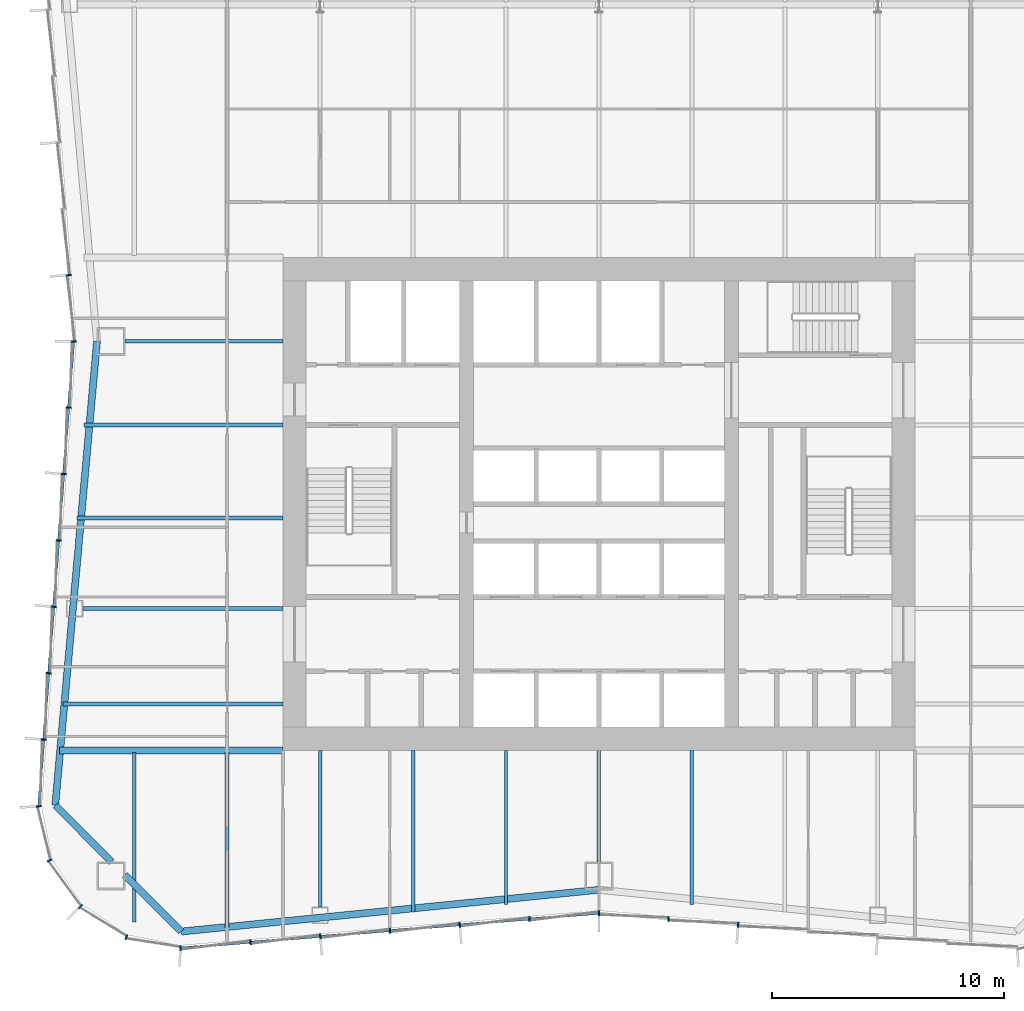
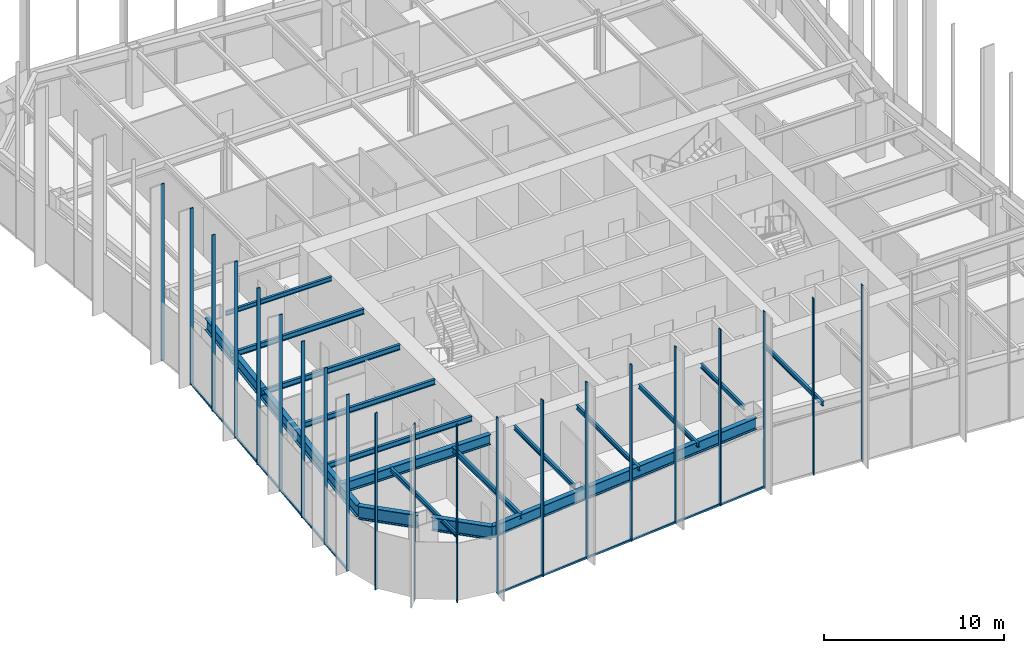
# One storey, part 2 of 13: 23 members, 17 beams, 3 elements without a shape of their own.
"""IFC4 building model written with IfcOpenShell, lengths in metres."""

from ifc_helpers import new_model, si_unit, direction, frame, origin, origin_2d, place, context, subcontext, project, spatial, rectangle, i_section, extrude, material, material_profile, profile_set, type_object, element, aggregate, save


model = new_model("IFC4")

# Units and contexts
model_context = context("Model", 3, precision=1e-05, world=origin(), true_north=direction((0.0, 1.0)))
body_context = subcontext(model_context, "Body", "Model", "MODEL_VIEW")
ifc_project = project(units=[si_unit("LENGTHUNIT", "METRE"), si_unit("AREAUNIT", "SQUARE_METRE"), si_unit("VOLUMEUNIT", "CUBIC_METRE"), si_unit("PLANEANGLEUNIT", "RADIAN"), si_unit("MASSUNIT", "GRAM", prefix="KILO")], contexts=[model_context])

# Site, building, storey
site_placement = place(None, origin())
site = spatial("IfcSite", under=ifc_project, at=site_placement, CompositionType="ELEMENT")
building_placement = place(site_placement, origin())
building = spatial("IfcBuilding", under=site, at=building_placement, Name="Verdant Reach Tower", CompositionType="ELEMENT")
storey_placement = place(building_placement, frame((0.0, 0.0, 126.0)))
storey = spatial("IfcBuildingStorey", under=building, at=storey_placement, Name="L28", CompositionType="ELEMENT", Elevation=126.0)

# Curtain wall, members
ifc_material_1 = material(Name="Anodised aluminium", Category="aluminium")
curtain_wall_type = type_object("IfcCurtainWallType", Name="EN-CW SYSTEM Z2", PredefinedType="NOTDEFINED", material=ifc_material_1)
curtain_wall_1_placement = place(storey_placement, origin())
curtain_wall_1 = element("IfcCurtainWall", 1, at=curtain_wall_1_placement, inside=storey, type_object=curtain_wall_type, Name="Curtain wall west, L28", PredefinedType="NOTDEFINED")
ifc_material_profile_1 = material_profile(ifc_material_1, rectangle(XDim=0.2119140625, YDim=0.06396484375, at=origin_2d()), Name="Mullion 64x212")
ifc_profile_set_1 = profile_set([ifc_material_profile_1], Name="Anodised aluminium")
member_type_1 = type_object("IfcMemberType", Name="EN-MULLION Z2", PredefinedType="MULLION", material=ifc_profile_set_1)
member_1_placement = place(storey_placement, frame((-22.820068359375, 37.84912109375, -0.35009765625), z_axis=(0.0, 0.0, 1.0), x_axis=(-0.997199309888, -0.074789948245, 0.0)))
member_1 = element("IfcMember", 2, at=member_1_placement, type_object=member_type_1, Name="Mullion west face part 1 7, L28", PredefinedType="MULLION", context=body_context, shape_type="SweptSolid", body=[
    extrude(rectangle(XDim=0.2119140625, YDim=0.06396484375, at=origin_2d()), origin(), (0.0, 0.0, 1.0), 12.0),
])
member_2_placement = place(storey_placement, frame((-22.60595703125, 35.0, -0.35009765625), z_axis=(0.0, 0.0, 1.0), x_axis=(-1.0, 0.0, 0.0)))
member_2 = element("IfcMember", 3, at=member_2_placement, type_object=member_type_1, Name="Mullion west face part 2 1, L28", PredefinedType="MULLION", context=body_context, shape_type="SweptSolid", body=[
    extrude(rectangle(XDim=0.2119140625, YDim=0.06396484375, at=origin_2d()), origin(), (0.0, 0.0, 1.0), 12.0),
])
member_3_placement = place(storey_placement, frame((-22.820068359375, 32.15087890625, -0.35009765625), z_axis=(0.0, 0.0, 1.0), x_axis=(-0.997199309888, 0.074789948245, 0.0)))
member_3 = element("IfcMember", 4, at=member_3_placement, type_object=member_type_1, Name="Mullion west face part 2 2, L28", PredefinedType="MULLION", context=body_context, shape_type="SweptSolid", body=[
    extrude(rectangle(XDim=0.2119140625, YDim=0.06396484375, at=origin_2d()), origin(), (0.0, 0.0, 1.0), 12.0),
])
member_4_placement = place(storey_placement, frame((-23.0341796875, 29.293701171875, -0.35009765625), z_axis=(0.0, 0.0, 1.0), x_axis=(-0.997199309888, 0.074789948245, 0.0)))
member_4 = element("IfcMember", 5, at=member_4_placement, type_object=member_type_1, Name="Mullion west face part 2 3, L28", PredefinedType="MULLION", context=body_context, shape_type="SweptSolid", body=[
    extrude(rectangle(XDim=0.2119140625, YDim=0.06396484375, at=origin_2d()), origin(), (0.0, 0.0, 1.0), 12.0),
])
member_5_placement = place(storey_placement, frame((-23.24853515625, 26.4365234375, -0.35009765625), z_axis=(0.0, 0.0, 1.0), x_axis=(-0.997199309888, 0.074789948245, 0.0)))
member_5 = element("IfcMember", 6, at=member_5_placement, type_object=member_type_1, Name="Mullion west face part 2 4, L28", PredefinedType="MULLION", context=body_context, shape_type="SweptSolid", body=[
    extrude(rectangle(XDim=0.2119140625, YDim=0.06396484375, at=origin_2d()), origin(), (0.0, 0.0, 1.0), 12.0),
])
member_6_placement = place(storey_placement, frame((-23.462890625, 23.579345703125, -0.35009765625), z_axis=(0.0, 0.0, 1.0), x_axis=(-0.997199309888, 0.074789948245, 0.0)))
member_6 = element("IfcMember", 7, at=member_6_placement, type_object=member_type_1, Name="Mullion west face part 2 5, L28", PredefinedType="MULLION", context=body_context, shape_type="SweptSolid", body=[
    extrude(rectangle(XDim=0.2119140625, YDim=0.06396484375, at=origin_2d()), origin(), (0.0, 0.0, 1.0), 12.0),
])
member_7_placement = place(storey_placement, frame((-23.67724609375, 20.72216796875, -0.35009765625), z_axis=(0.0, 0.0, 1.0), x_axis=(-0.997199309888, 0.074789948245, 0.0)))
member_7 = element("IfcMember", 8, at=member_7_placement, type_object=member_type_1, Name="Mullion west face part 2 6, L28", PredefinedType="MULLION", context=body_context, shape_type="SweptSolid", body=[
    extrude(rectangle(XDim=0.2119140625, YDim=0.06396484375, at=origin_2d()), origin(), (0.0, 0.0, 1.0), 12.0),
])
member_8_placement = place(storey_placement, frame((-23.891357421875, 17.864990234375, -0.35009765625), z_axis=(0.0, 0.0, 1.0), x_axis=(-0.997199309888, 0.074789948245, 0.0)))
member_8 = element("IfcMember", 9, at=member_8_placement, type_object=member_type_1, Name="Mullion west face part 2 7, L28", PredefinedType="MULLION", context=body_context, shape_type="SweptSolid", body=[
    extrude(rectangle(XDim=0.2119140625, YDim=0.06396484375, at=origin_2d()), origin(), (0.0, 0.0, 1.0), 12.0),
])

curtain_wall_2_placement = place(storey_placement, origin())
curtain_wall_2 = element("IfcCurtainWall", 10, at=curtain_wall_2_placement, inside=storey, type_object=curtain_wall_type, Name="Curtain wall south-west corner, L28", PredefinedType="NOTDEFINED")
member_9_placement = place(storey_placement, frame((-24.105712890625, 14.99365234375, -0.35009765625), z_axis=(0.0, 0.0, 1.0), x_axis=(-0.998155887542, -0.060702752526, 0.0)))
member_9 = element("IfcMember", 11, at=member_9_placement, type_object=member_type_1, Name="Mullion south-west corner 1, L28", PredefinedType="MULLION", context=body_context, shape_type="SweptSolid", body=[
    extrude(rectangle(XDim=0.2119140625, YDim=0.06396484375, at=origin_2d()), origin(), (0.0, 0.0, 1.0), 12.0),
])
member_10_placement = place(storey_placement, frame((-23.64111328125, 12.663330078125, -0.35009765625), z_axis=(0.0, 0.0, 1.0), x_axis=(-0.923875215753, -0.382693853776, 0.0)))
member_10 = element("IfcMember", 12, at=member_10_placement, type_object=member_type_1, Name="Mullion south-west corner 2, L28", PredefinedType="MULLION", context=body_context, shape_type="SweptSolid", body=[
    extrude(rectangle(XDim=0.2119140625, YDim=0.06396484375, at=origin_2d()), origin(), (0.0, 0.0, 1.0), 12.0),
])
member_11_placement = place(storey_placement, frame((-22.317626953125, 10.682373046875, -0.35009765625), z_axis=(0.0, 0.0, 1.0), x_axis=(-0.707106781187, -0.707106781187, 0.0)))
member_11 = element("IfcMember", 13, at=member_11_placement, type_object=member_type_1, Name="Mullion south-west corner 3, L28", PredefinedType="MULLION", context=body_context, shape_type="SweptSolid", body=[
    extrude(rectangle(XDim=0.2119140625, YDim=0.06396484375, at=origin_2d()), origin(), (0.0, 0.0, 1.0), 12.0),
])
member_12_placement = place(storey_placement, frame((-20.336669921875, 9.35888671875, -0.35009765625), z_axis=(0.0, 0.0, 1.0), x_axis=(-0.382693853776, -0.923875215753, 0.0)))
member_12 = element("IfcMember", 14, at=member_12_placement, type_object=member_type_1, Name="Mullion south-west corner 4, L28", PredefinedType="MULLION", context=body_context, shape_type="SweptSolid", body=[
    extrude(rectangle(XDim=0.2119140625, YDim=0.06396484375, at=origin_2d()), origin(), (0.0, 0.0, 1.0), 12.0),
])
aggregate(curtain_wall_2, [member_9, member_10, member_11, member_12])

curtain_wall_3_placement = place(storey_placement, origin())
curtain_wall_3 = element("IfcCurtainWall", 15, at=curtain_wall_3_placement, inside=storey, type_object=curtain_wall_type, Name="Curtain wall south, L28", PredefinedType="NOTDEFINED")
member_13_placement = place(storey_placement, frame((-18.006103515625, 8.894287109375, -0.35009765625), z_axis=(0.0, 0.0, 1.0), x_axis=(-0.056569187765, -0.998398681387, 0.0)))
member_13 = element("IfcMember", 16, at=member_13_placement, type_object=member_type_1, Name="Mullion south face part 1 1, L28", PredefinedType="MULLION", context=body_context, shape_type="SweptSolid", body=[
    extrude(rectangle(XDim=0.2119140625, YDim=0.06396484375, at=origin_2d()), origin(), (0.0, 0.0, 1.0), 12.0),
])
member_14_placement = place(storey_placement, frame((-14.9912109375, 9.144287109375, -0.35009765625), z_axis=(0.0, 0.0, 1.0), x_axis=(0.083045479859, -0.996545758244, 0.0)))
member_14 = element("IfcMember", 17, at=member_14_placement, type_object=member_type_1, Name="Mullion south face part 1 2, L28", PredefinedType="MULLION", context=body_context, shape_type="SweptSolid", body=[
    extrude(rectangle(XDim=0.2119140625, YDim=0.06396484375, at=origin_2d()), origin(), (0.0, 0.0, 1.0), 12.0),
])
member_15_placement = place(storey_placement, frame((-11.9912109375, 9.394287109375, -0.35009765625), z_axis=(0.0, 0.0, 1.0), x_axis=(0.083045479859, -0.996545758244, 0.0)))
member_15 = element("IfcMember", 18, at=member_15_placement, type_object=member_type_1, Name="Mullion south face part 1 3, L28", PredefinedType="MULLION", context=body_context, shape_type="SweptSolid", body=[
    extrude(rectangle(XDim=0.2119140625, YDim=0.06396484375, at=origin_2d()), origin(), (0.0, 0.0, 1.0), 12.0),
])
member_16_placement = place(storey_placement, frame((-8.9912109375, 9.644287109375, -0.35009765625), z_axis=(0.0, 0.0, 1.0), x_axis=(0.083045479859, -0.996545758244, 0.0)))
member_16 = element("IfcMember", 19, at=member_16_placement, type_object=member_type_1, Name="Mullion south face part 1 4, L28", PredefinedType="MULLION", context=body_context, shape_type="SweptSolid", body=[
    extrude(rectangle(XDim=0.2119140625, YDim=0.06396484375, at=origin_2d()), origin(), (0.0, 0.0, 1.0), 12.0),
])
member_17_placement = place(storey_placement, frame((-5.9912109375, 9.894287109375, -0.35009765625), z_axis=(0.0, 0.0, 1.0), x_axis=(0.083045479859, -0.996545758244, 0.0)))
member_17 = element("IfcMember", 20, at=member_17_placement, type_object=member_type_1, Name="Mullion south face part 1 5, L28", PredefinedType="MULLION", context=body_context, shape_type="SweptSolid", body=[
    extrude(rectangle(XDim=0.2119140625, YDim=0.06396484375, at=origin_2d()), origin(), (0.0, 0.0, 1.0), 12.0),
])
member_18_placement = place(storey_placement, frame((-2.9912109375, 10.144287109375, -0.35009765625), z_axis=(0.0, 0.0, 1.0), x_axis=(0.083045479859, -0.996545758244, 0.0)))
member_18 = element("IfcMember", 21, at=member_18_placement, type_object=member_type_1, Name="Mullion south face part 1 6, L28", PredefinedType="MULLION", context=body_context, shape_type="SweptSolid", body=[
    extrude(rectangle(XDim=0.2119140625, YDim=0.06396484375, at=origin_2d()), origin(), (0.0, 0.0, 1.0), 12.0),
])
member_19_placement = place(storey_placement, frame((0.0, 10.39404296875, -0.35009765625), z_axis=(0.0, 0.0, 1.0), x_axis=(0.0, -1.0, 0.0)))
member_19 = element("IfcMember", 22, at=member_19_placement, type_object=member_type_1, Name="Mullion south face part 2 1, L28", PredefinedType="MULLION", context=body_context, shape_type="SweptSolid", body=[
    extrude(rectangle(XDim=0.2119140625, YDim=0.06396484375, at=origin_2d()), origin(), (0.0, 0.0, 1.0), 12.0),
])
member_20_placement = place(storey_placement, frame((2.9912109375, 10.144287109375, -0.35009765625), z_axis=(0.0, 0.0, 1.0), x_axis=(-0.083045479859, -0.996545758244, 0.0)))
member_20 = element("IfcMember", 23, at=member_20_placement, type_object=member_type_1, Name="Mullion south face part 2 2, L28", PredefinedType="MULLION", context=body_context, shape_type="SweptSolid", body=[
    extrude(rectangle(XDim=0.2119140625, YDim=0.06396484375, at=origin_2d()), origin(), (0.0, 0.0, 1.0), 12.0),
])
member_21_placement = place(storey_placement, frame((5.9912109375, 9.894287109375, -0.35009765625), z_axis=(0.0, 0.0, 1.0), x_axis=(-0.083045479859, -0.996545758244, 0.0)))
member_21 = element("IfcMember", 24, at=member_21_placement, type_object=member_type_1, Name="Mullion south face part 2 3, L28", PredefinedType="MULLION", context=body_context, shape_type="SweptSolid", body=[
    extrude(rectangle(XDim=0.2119140625, YDim=0.06396484375, at=origin_2d()), origin(), (0.0, 0.0, 1.0), 12.0),
])

# Member
ifc_material_profile_2 = material_profile(ifc_material_1, rectangle(XDim=0.10009765625, YDim=0.1240234375, at=origin_2d()), Name="Transom 124x100")
ifc_profile_set_2 = profile_set([ifc_material_profile_2], Name="Anodised aluminium")
member_type_2 = type_object("IfcMemberType", Name="EN-TRANSOM Z2", PredefinedType="USERDEFINED", material=ifc_profile_set_2)
member_22_placement = place(storey_placement, frame((-22.6083984375, 34.968017578125, -0.2880859375), z_axis=(-0.07476111665, -0.997201471839, 0.0), x_axis=(0.997201471839, -0.07476111665, 0.0)))
member_22 = element("IfcMember", 25, at=member_22_placement, type_object=member_type_2, Name="Transom west face part 2 1.1, L28", ObjectType="TRANSOM", PredefinedType="USERDEFINED", context=body_context, shape_type="SweptSolid", body=[
    extrude(rectangle(XDim=0.10009765625, YDim=0.1240234375, at=origin_2d()), origin(), (0.0, 0.0, 1.0), 19.99853515625),
])

aggregate(curtain_wall_1, [member_1, member_2, member_3, member_4, member_5, member_6, member_7, member_8, member_22])

member_23_placement = place(storey_placement, frame((-17.97412109375, 8.896728515625, -0.2880859375), z_axis=(0.996548282776, 0.083015179915, 0.0), x_axis=(-0.083015179915, 0.996548282776, 0.0)))
member_23 = element("IfcMember", 26, at=member_23_placement, type_object=member_type_2, Name="Transom south face part 1 1.1, L28", ObjectType="TRANSOM", PredefinedType="USERDEFINED", context=body_context, shape_type="SweptSolid", body=[
    extrude(rectangle(XDim=0.10009765625, YDim=0.1240234375, at=origin_2d()), origin(), (0.0, 0.0, 1.0), 18.00439453125),
])

aggregate(curtain_wall_3, [member_13, member_14, member_15, member_16, member_17, member_18, member_23, member_19, member_20, member_21])

# Beams
ifc_material_2 = material(Name="Steel S355", Category="steel")
ifc_material_profile_3 = material_profile(ifc_material_2, i_section(OverallWidth=0.300048828125, OverallDepth=0.699951171875, WebThickness=0.01708984375, FlangeThickness=0.031982421875, FilletRadius=0.027099609375, at=origin_2d()), Name="HEB 700")
ifc_profile_set_3 = profile_set([ifc_material_profile_3], Name="Steel S355")
beam_type_1 = type_object("IfcBeamType", Name="ST-BEAM-HEB700", PredefinedType="BEAM", material=ifc_profile_set_3)
beam_1_placement = place(storey_placement, frame((-13.60009765625, 17.39990234375, 3.52001953125), z_axis=(-1.0, 0.0, 0.0), x_axis=(0.0, -1.0, 0.0)))
element("IfcBeam", 27, at=beam_1_placement, inside=storey, type_object=beam_type_1, Name="Trimmer beam, L28", PredefinedType="BEAM", context=body_context, shape_type="SweptSolid", body=[
    extrude(i_section(OverallWidth=0.300048828125, OverallDepth=0.699951171875, WebThickness=0.01708984375, FlangeThickness=0.031982421875, FilletRadius=0.027099609375, at=origin_2d()), origin(), (0.0, 0.0, 1.0), 9.6181640625),
])
ifc_material_profile_4 = material_profile(ifc_material_2, i_section(OverallWidth=0.14990234375, OverallDepth=0.300048828125, WebThickness=0.007080078125, FlangeThickness=0.0107421875, FilletRadius=0.014892578125, at=origin_2d()), Name="IPE 300")
ifc_profile_set_4 = profile_set([ifc_material_profile_4], Name="Steel S355")
beam_type_2 = type_object("IfcBeamType", Name="ST-JOIST-IPE300", PredefinedType="JOIST", material=ifc_profile_set_4)
beam_2_placement = place(storey_placement, frame((-20.0, 17.300048828125, 3.719970703125), z_axis=(0.0, -1.0, 0.0), x_axis=(1.0, 0.0, 0.0)))
element("IfcBeam", 28, at=beam_2_placement, inside=storey, type_object=beam_type_2, Name="Floor joist, L28", PredefinedType="JOIST", context=body_context, shape_type="SweptSolid", body=[
    extrude(i_section(OverallWidth=0.14990234375, OverallDepth=0.300048828125, WebThickness=0.007080078125, FlangeThickness=0.0107421875, FilletRadius=0.014892578125, at=origin_2d()), origin(), (0.0, 0.0, 1.0), 7.29052734375),
])
beam_3_placement = place(storey_placement, frame((-12.0, 17.39990234375, 3.719970703125), z_axis=(0.0, -1.0, 0.0), x_axis=(1.0, 0.0, 0.0)))
element("IfcBeam", 29, at=beam_3_placement, inside=storey, type_object=beam_type_2, Name="Floor joist, L28", PredefinedType="JOIST", context=body_context, shape_type="SweptSolid", body=[
    extrude(i_section(OverallWidth=0.14990234375, OverallDepth=0.300048828125, WebThickness=0.007080078125, FlangeThickness=0.0107421875, FilletRadius=0.014892578125, at=origin_2d()), origin(), (0.0, 0.0, 1.0), 6.75),
])
beam_4_placement = place(storey_placement, frame((-8.0, 17.39990234375, 3.719970703125), z_axis=(0.0, -1.0, 0.0), x_axis=(1.0, 0.0, 0.0)))
element("IfcBeam", 30, at=beam_4_placement, inside=storey, type_object=beam_type_2, Name="Floor joist, L28", PredefinedType="JOIST", context=body_context, shape_type="SweptSolid", body=[
    extrude(i_section(OverallWidth=0.14990234375, OverallDepth=0.300048828125, WebThickness=0.007080078125, FlangeThickness=0.0107421875, FilletRadius=0.014892578125, at=origin_2d()), origin(), (0.0, 0.0, 1.0), 6.964599609375),
])
beam_5_placement = place(storey_placement, frame((-4.0, 17.39990234375, 3.719970703125), z_axis=(0.0, -1.0, 0.0), x_axis=(1.0, 0.0, 0.0)))
element("IfcBeam", 31, at=beam_5_placement, inside=storey, type_object=beam_type_2, Name="Floor joist, L28", PredefinedType="JOIST", context=body_context, shape_type="SweptSolid", body=[
    extrude(i_section(OverallWidth=0.14990234375, OverallDepth=0.300048828125, WebThickness=0.007080078125, FlangeThickness=0.0107421875, FilletRadius=0.014892578125, at=origin_2d()), origin(), (0.0, 0.0, 1.0), 6.631103515625),
])
beam_6_placement = place(storey_placement, frame((0.0, 17.39990234375, 3.719970703125), z_axis=(0.0, -1.0, 0.0), x_axis=(1.0, 0.0, 0.0)))
element("IfcBeam", 32, at=beam_6_placement, inside=storey, type_object=beam_type_2, Name="Floor joist, L28", PredefinedType="JOIST", context=body_context, shape_type="SweptSolid", body=[
    extrude(i_section(OverallWidth=0.14990234375, OverallDepth=0.300048828125, WebThickness=0.007080078125, FlangeThickness=0.0107421875, FilletRadius=0.014892578125, at=origin_2d()), origin(), (0.0, 0.0, 1.0), 4.7998046875),
])
beam_7_placement = place(storey_placement, frame((4.0, 17.39990234375, 3.719970703125), z_axis=(0.0, -1.0, 0.0), x_axis=(1.0, 0.0, 0.0)))
element("IfcBeam", 33, at=beam_7_placement, inside=storey, type_object=beam_type_2, Name="Floor joist, L28", PredefinedType="JOIST", context=body_context, shape_type="SweptSolid", body=[
    extrude(i_section(OverallWidth=0.14990234375, OverallDepth=0.300048828125, WebThickness=0.007080078125, FlangeThickness=0.0107421875, FilletRadius=0.014892578125, at=origin_2d()), origin(), (0.0, 0.0, 1.0), 6.631103515625),
])
beam_8_placement = place(storey_placement, frame((-13.60009765625, 35.0, 3.719970703125), z_axis=(-1.0, 0.0, 0.0), x_axis=(0.0, -1.0, 0.0)))
element("IfcBeam", 34, at=beam_8_placement, inside=storey, type_object=beam_type_2, Name="Floor joist, L28", PredefinedType="JOIST", context=body_context, shape_type="SweptSolid", body=[
    extrude(i_section(OverallWidth=0.14990234375, OverallDepth=0.300048828125, WebThickness=0.007080078125, FlangeThickness=0.0107421875, FilletRadius=0.014892578125, at=origin_2d()), origin(), (0.0, 0.0, 1.0), 6.7998046875),
])
ifc_material_profile_5 = material_profile(ifc_material_2, i_section(OverallWidth=0.169921875, OverallDepth=0.360107421875, WebThickness=0.008056640625, FlangeThickness=0.0126953125, FilletRadius=0.01806640625, at=origin_2d()), Name="IPE 360")
ifc_profile_set_5 = profile_set([ifc_material_profile_5], Name="Steel S355")
beam_type_3 = type_object("IfcBeamType", Name="ST-JOIST-IPE360", PredefinedType="JOIST", material=ifc_profile_set_5)
beam_9_placement = place(storey_placement, frame((-16.0, 17.300048828125, 3.68994140625), z_axis=(0.0, -1.0, 0.0), x_axis=(1.0, 0.0, 0.0)))
element("IfcBeam", 35, at=beam_9_placement, inside=storey, type_object=beam_type_3, Name="Floor joist, L28", PredefinedType="JOIST", context=body_context, shape_type="SweptSolid", body=[
    extrude(i_section(OverallWidth=0.169921875, OverallDepth=0.360107421875, WebThickness=0.008056640625, FlangeThickness=0.0126953125, FilletRadius=0.01806640625, at=origin_2d()), origin(), (0.0, 0.0, 1.0), 7.53125),
])
beam_10_placement = place(storey_placement, frame((-13.60009765625, 19.39990234375, 3.68994140625), z_axis=(-1.0, 0.0, 0.0), x_axis=(0.0, -1.0, 0.0)))
element("IfcBeam", 36, at=beam_10_placement, inside=storey, type_object=beam_type_3, Name="Floor joist, L28", PredefinedType="JOIST", context=body_context, shape_type="SweptSolid", body=[
    extrude(i_section(OverallWidth=0.169921875, OverallDepth=0.360107421875, WebThickness=0.008056640625, FlangeThickness=0.0126953125, FilletRadius=0.01806640625, at=origin_2d()), origin(), (0.0, 0.0, 1.0), 9.46826171875),
])
beam_11_placement = place(storey_placement, frame((-13.60009765625, 23.5, 3.68994140625), z_axis=(-1.0, 0.0, 0.0), x_axis=(0.0, -1.0, 0.0)))
element("IfcBeam", 37, at=beam_11_placement, inside=storey, type_object=beam_type_3, Name="Floor joist, L28", PredefinedType="JOIST", context=body_context, shape_type="SweptSolid", body=[
    extrude(i_section(OverallWidth=0.169921875, OverallDepth=0.360107421875, WebThickness=0.008056640625, FlangeThickness=0.0126953125, FilletRadius=0.01806640625, at=origin_2d()), origin(), (0.0, 0.0, 1.0), 8.6123046875),
])
beam_12_placement = place(storey_placement, frame((-13.60009765625, 27.39990234375, 3.68994140625), z_axis=(-1.0, 0.0, 0.0), x_axis=(0.0, -1.0, 0.0)))
element("IfcBeam", 38, at=beam_12_placement, inside=storey, type_object=beam_type_3, Name="Floor joist, L28", PredefinedType="JOIST", context=body_context, shape_type="SweptSolid", body=[
    extrude(i_section(OverallWidth=0.169921875, OverallDepth=0.360107421875, WebThickness=0.008056640625, FlangeThickness=0.0126953125, FilletRadius=0.01806640625, at=origin_2d()), origin(), (0.0, 0.0, 1.0), 8.8681640625),
])
beam_13_placement = place(storey_placement, frame((-13.60009765625, 31.39990234375, 3.68994140625), z_axis=(-1.0, 0.0, 0.0), x_axis=(0.0, -1.0, 0.0)))
element("IfcBeam", 39, at=beam_13_placement, inside=storey, type_object=beam_type_3, Name="Floor joist, L28", PredefinedType="JOIST", context=body_context, shape_type="SweptSolid", body=[
    extrude(i_section(OverallWidth=0.169921875, OverallDepth=0.360107421875, WebThickness=0.008056640625, FlangeThickness=0.0126953125, FilletRadius=0.01806640625, at=origin_2d()), origin(), (0.0, 0.0, 1.0), 8.568115234375),
])
ifc_material_profile_6 = material_profile(ifc_material_2, i_section(OverallWidth=0.300048828125, OverallDepth=0.800048828125, WebThickness=0.017578125, FlangeThickness=0.032958984375, FilletRadius=0.030029296875, at=origin_2d()), Name="HEB 800")
ifc_profile_set_6 = profile_set([ifc_material_profile_6], Name="Steel S355")
beam_type_4 = type_object("IfcBeamType", Name="ST-SPANDREL-HEB800", PredefinedType="SPANDREL", material=ifc_profile_set_6)
beam_14_placement = place(storey_placement, frame((0.0, 11.39990234375, 3.469970703125), z_axis=(-0.995046289869, -0.099412680371, 0.0), x_axis=(0.099412680371, -0.995046289869, 0.0)))
element("IfcBeam", 40, at=beam_14_placement, inside=storey, type_object=beam_type_4, Name="Edge beam, L28", PredefinedType="SPANDREL", context=body_context, shape_type="SweptSolid", body=[
    extrude(i_section(OverallWidth=0.300048828125, OverallDepth=0.800048828125, WebThickness=0.017578125, FlangeThickness=0.032958984375, FilletRadius=0.030029296875, at=origin_2d()), origin(), (0.0, 0.0, 1.0), 18.05517578125),
])
beam_15_placement = place(storey_placement, frame((-23.3955078125, 15.036865234375, 3.469970703125), z_axis=(0.089574749266, 0.995980102358, 0.0), x_axis=(-0.995980102358, 0.089574749266, 0.0)))
element("IfcBeam", 41, at=beam_15_placement, inside=storey, type_object=beam_type_4, Name="Edge beam, L28", PredefinedType="SPANDREL", context=body_context, shape_type="SweptSolid", body=[
    extrude(i_section(OverallWidth=0.300048828125, OverallDepth=0.800048828125, WebThickness=0.017578125, FlangeThickness=0.032958984375, FilletRadius=0.030029296875, at=origin_2d()), origin(), (0.0, 0.0, 1.0), 20.043701171875),
])
ifc_material_profile_7 = material_profile(ifc_material_2, i_section(OverallWidth=0.302001953125, OverallDepth=0.909912109375, WebThickness=0.02099609375, FlangeThickness=0.0400390625, FilletRadius=0.030029296875, at=origin_2d()), Name="HEM 900")
ifc_profile_set_7 = profile_set([ifc_material_profile_7], Name="Steel S355")
beam_type_5 = type_object("IfcBeamType", Name="ST-SPANDREL-HEM900", PredefinedType="SPANDREL", material=ifc_profile_set_7)
beam_16_placement = place(storey_placement, frame((-17.9658203125, 9.60498046875, 3.4150390625), z_axis=(-0.70696494852, 0.70724858541, 0.0), x_axis=(-0.70724858541, -0.70696494852, 0.0)))
element("IfcBeam", 42, at=beam_16_placement, inside=storey, type_object=beam_type_5, Name="Edge beam, L28", PredefinedType="SPANDREL", context=body_context, shape_type="SweptSolid", body=[
    extrude(i_section(OverallWidth=0.302001953125, OverallDepth=0.909912109375, WebThickness=0.02099609375, FlangeThickness=0.0400390625, FilletRadius=0.030029296875, at=origin_2d()), origin(), (0.0, 0.0, 1.0), 3.443115234375),
])
beam_17_placement = place(storey_placement, frame((-20.959716796875, 12.60009765625, 3.4150390625), z_axis=(-0.706965048022, 0.707248485948, 0.0), x_axis=(-0.707248485948, -0.706965048022, 0.0)))
element("IfcBeam", 43, at=beam_17_placement, inside=storey, type_object=beam_type_5, Name="Edge beam, L28", PredefinedType="SPANDREL", context=body_context, shape_type="SweptSolid", body=[
    extrude(i_section(OverallWidth=0.302001953125, OverallDepth=0.909912109375, WebThickness=0.02099609375, FlangeThickness=0.0400390625, FilletRadius=0.030029296875, at=origin_2d()), origin(), (0.0, 0.0, 1.0), 3.4453125),
])

save(model, "model.ifc")
